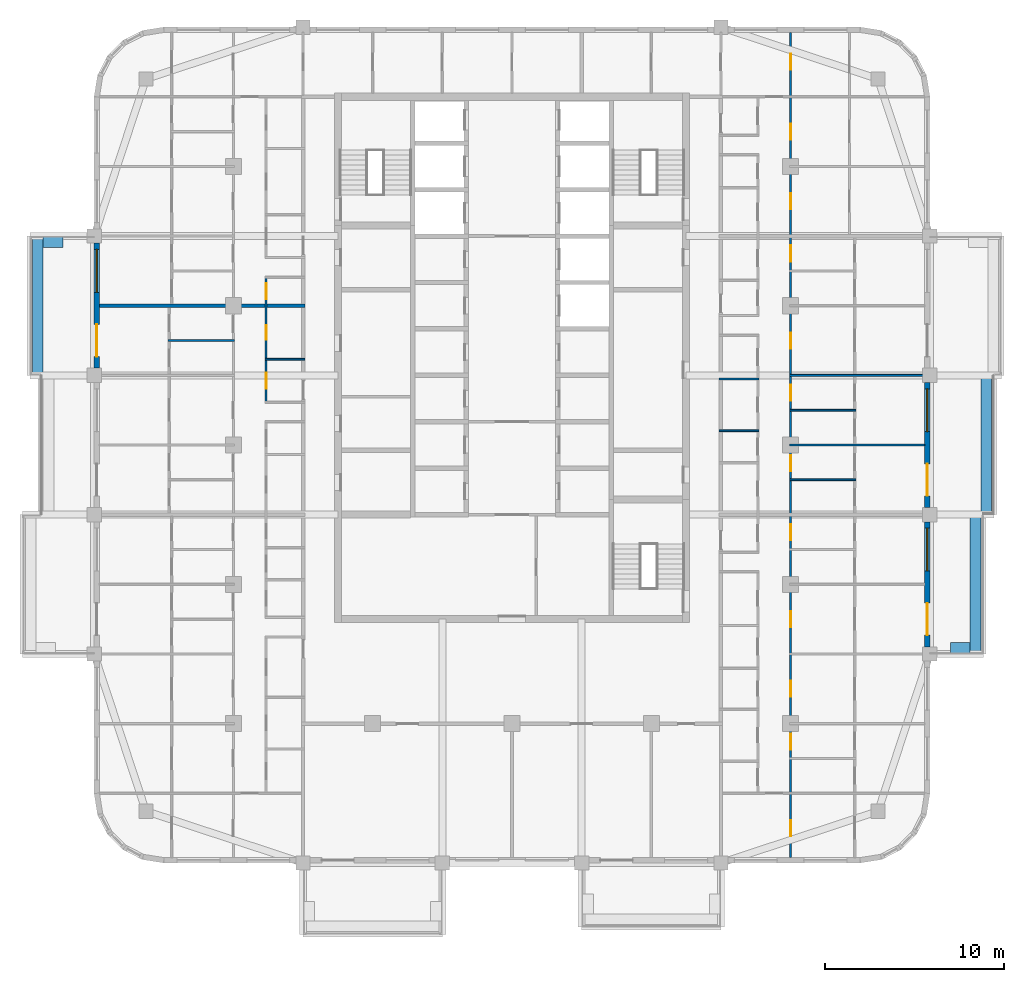
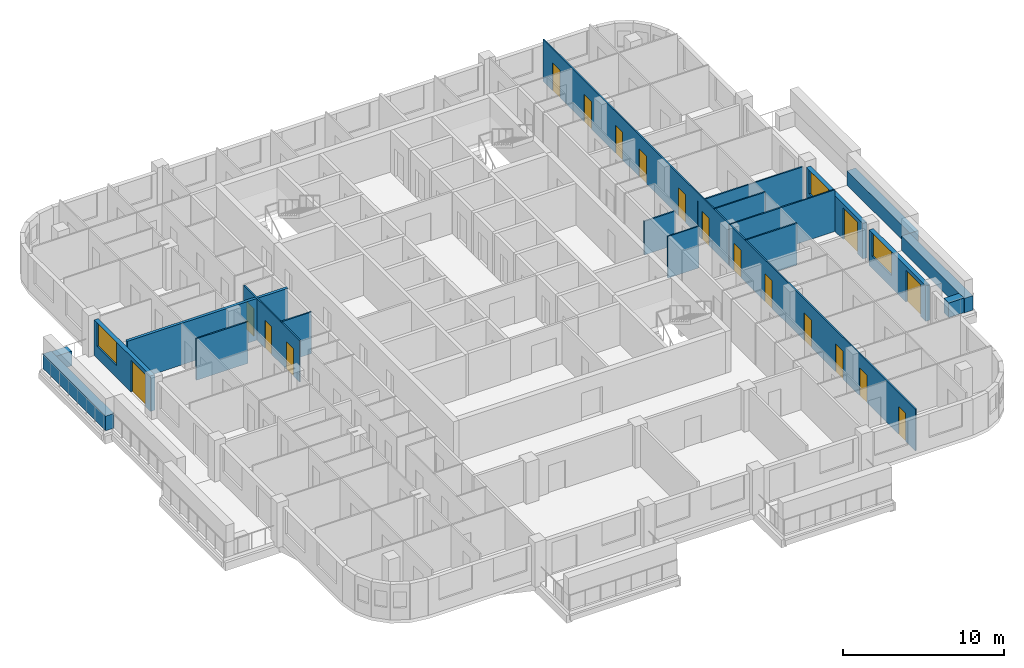
# One storey, part 8 of 16: 19 walls, 18 doors, 3 windows, 21 openings.
"""IFC4 building model written with IfcOpenShell, lengths in metres."""

from ifc_helpers import new_model, si_unit, direction, frame, frame_2d, origin, place, context, subcontext, project, spatial, rectangle, extrude, material, layer, layer_set, type_object, element, fill, save


model = new_model("IFC4")

# Units and contexts
model_context = context("Model", 3, precision=1e-05, world=origin(), true_north=direction((0.0, 1.0)))
body_context = subcontext(model_context, "Body", "Model", "MODEL_VIEW")
ifc_project = project(units=[si_unit("LENGTHUNIT", "METRE"), si_unit("AREAUNIT", "SQUARE_METRE"), si_unit("VOLUMEUNIT", "CUBIC_METRE"), si_unit("PLANEANGLEUNIT", "RADIAN"), si_unit("MASSUNIT", "GRAM", prefix="KILO")], contexts=[model_context])

# Site, building, storey
site_placement = place(None, origin())
site = spatial("IfcSite", under=ifc_project, at=site_placement, CompositionType="ELEMENT")
building_placement = place(site_placement, origin())
building = spatial("IfcBuilding", under=site, at=building_placement, Name="Ludao Terraces", CompositionType="ELEMENT")
storey_placement = place(building_placement, frame((0.0, 0.0, 227.89990234375)))
storey = spatial("IfcBuildingStorey", under=building, at=storey_placement, Name="L62", CompositionType="ELEMENT", Elevation=227.89990234375)

# Walls
ifc_material_1 = material(Name="Concrete C40", Category="concrete")
ifc_layer_1 = layer(ifc_material_1, 0.60009765625)
ifc_layer_set_1 = layer_set([ifc_layer_1], Name="ENV Planter trough 600")
wall_type_1 = type_object("IfcWallType", Name="ENV Planter trough 600", PredefinedType="USERDEFINED", material=ifc_layer_set_1)
wall_1_placement = place(storey_placement, frame((110.949951171875, 53.300048828125, 0.0), z_axis=(0.0, 0.0, 1.0), x_axis=(0.0, 1.0, 0.0)))
element("IfcWall", 1, at=wall_1_placement, inside=storey, type_object=wall_type_1, Name="PL-L62-E1", ObjectType="PLANTER", PredefinedType="USERDEFINED", context=body_context, shape_type="SweptSolid", body=[
    extrude(rectangle(XDim=7.800048828125, YDim=0.60009765625, at=frame_2d((3.89990234375, 0.0))), origin(), (0.0, 0.0, 1.0), 1.10009765625),
])
wall_2_placement = place(storey_placement, frame((110.64990234375, 53.64990234375, 0.0), z_axis=(0.0, 0.0, 1.0), x_axis=(-1.0, 0.0, 0.0)))
element("IfcWall", 2, at=wall_2_placement, inside=storey, type_object=wall_type_1, Name="PL-L62-E1-SA", ObjectType="PLANTER", PredefinedType="USERDEFINED", context=body_context, shape_type="SweptSolid", body=[
    extrude(rectangle(XDim=1.099853515625, YDim=0.60009765625, at=frame_2d((0.5498046875, 0.0))), origin(), (0.0, 0.0, 1.0), 1.10009765625),
])
wall_3_placement = place(storey_placement, frame((111.550048828125, 61.10009765625, 0.0), z_axis=(0.0, 0.0, 1.0), x_axis=(0.0, 1.0, 0.0)))
element("IfcWall", 3, at=wall_3_placement, inside=storey, type_object=wall_type_1, Name="PL-L62-E2", ObjectType="PLANTER", PredefinedType="USERDEFINED", context=body_context, shape_type="SweptSolid", body=[
    extrude(rectangle(XDim=7.7998046875, YDim=0.60009765625, at=frame_2d((3.89990234375, 0.0))), origin(), (0.0, 0.0, 1.0), 1.10009765625),
])
wall_4_placement = place(storey_placement, frame((58.449951171875, 68.89990234375, 0.0), z_axis=(0.0, 0.0, 1.0), x_axis=(0.0, 1.0, 0.0)))
element("IfcWall", 4, at=wall_4_placement, inside=storey, type_object=wall_type_1, Name="PL-L62-W3", ObjectType="PLANTER", PredefinedType="USERDEFINED", context=body_context, shape_type="SweptSolid", body=[
    extrude(rectangle(XDim=7.800048828125, YDim=0.60009765625, at=frame_2d((3.89990234375, 0.0))), origin(), (0.0, 0.0, 1.0), 1.10009765625),
])
wall_5_placement = place(storey_placement, frame((58.75, 76.35009765625, 0.0), z_axis=(0.0, 0.0, 1.0), x_axis=(1.0, 0.0, 0.0)))
element("IfcWall", 5, at=wall_5_placement, inside=storey, type_object=wall_type_1, Name="PL-L62-W3-SB", ObjectType="PLANTER", PredefinedType="USERDEFINED", context=body_context, shape_type="SweptSolid", body=[
    extrude(rectangle(XDim=1.10009765625, YDim=0.60009765625, at=frame_2d((0.550048828125, 0.0))), origin(), (0.0, 0.0, 1.0), 1.10009765625),
])

# Wall, openings, door, window
ifc_material_2 = material(Name="Granite cladding", Category="masonry")
ifc_layer_2 = layer(ifc_material_2, 0.0400390625, Category="stone")
ifc_material_3 = material(Name="Mineral wool")
ifc_layer_3 = layer(ifc_material_3, 0.06005859375)
ifc_layer_4 = layer(ifc_material_1, 0.199951171875, Category="concrete")
ifc_layer_set_2 = layer_set([ifc_layer_2, ifc_layer_3, ifc_layer_4], Name="ENV Stone-clad wall 300")
wall_type_2 = type_object("IfcWallType", Name="ENV Stone-clad wall 300", PredefinedType="SOLIDWALL", material=ifc_layer_set_2)
wall_6_placement = place(storey_placement, frame((108.25, 53.699951171875, 0.0), z_axis=(0.0, 0.0, 1.0), x_axis=(0.0, 1.0, 0.0)))
wall_6 = element("IfcWall", 6, at=wall_6_placement, inside=storey, type_object=wall_type_2, Name="EW-L62-E2", PredefinedType="SOLIDWALL", context=body_context, shape_type="SweptSolid", body=[
    extrude(rectangle(XDim=7.0, YDim=0.300048828125, at=frame_2d((3.5, 0.0))), origin(), (0.0, 0.0, 1.0), 2.7001953125),
])
opening_1_placement = place(wall_6_placement, frame((0.64990234375, 0.0, 0.0)))
opening_1 = element("IfcOpeningElement", 7, at=opening_1_placement, cuts=wall_6, Name="Opening BD", PredefinedType="OPENING", context=body_context, shape_type="SweptSolid", body=[
    extrude(rectangle(XDim=1.800048828125, YDim=2.39990234375, at=frame_2d((0.89990234375, 1.199951171875))), frame((0.0, 0.16015625, 0.0), z_axis=(0.0, -1.0, 0.0), x_axis=(1.0, 0.0, 0.0)), (0.0, 0.0, 1.0), 0.320068359375),
])
opening_2_placement = place(wall_6_placement, frame((4.25, 0.0, 0.89990234375)))
opening_2 = element("IfcOpeningElement", 8, at=opening_2_placement, cuts=wall_6, Name="Opening W1", PredefinedType="OPENING", context=body_context, shape_type="SweptSolid", body=[
    extrude(rectangle(XDim=2.39990234375, YDim=1.800048828125, at=frame_2d((1.199951171875, 0.89990234375))), frame((0.0, 0.16015625, 0.0), z_axis=(0.0, -1.0, 0.0), x_axis=(1.0, 0.0, 0.0)), (0.0, 0.0, 1.0), 0.320068359375),
])
ifc_material_4 = material(Name="Aluminium glazed door", Category="aluminium")
ifc_layer_5 = layer(ifc_material_4, 0.06005859375)
ifc_layer_set_3 = layer_set([ifc_layer_5], Name="ENV Balcony door BD 1800x2400")
door_type_1 = type_object("IfcDoorType", Name="ENV Balcony door BD 1800x2400", OperationType="DOUBLE_DOOR_SINGLE_SWING", PredefinedType="DOOR", material=ifc_layer_set_3)
door_1_placement = place(opening_1_placement, origin())
door_1 = element("IfcDoor", 9, at=door_1_placement, inside=storey, type_object=door_type_1, Name="BD-L62-E2-1", OperationType="DOUBLE_DOOR_SINGLE_SWING", OverallHeight=2.39990234375, OverallWidth=1.800048828125, PredefinedType="DOOR", context=body_context, shape_type="SweptSolid", body=[
    extrude(rectangle(XDim=1.800048828125, YDim=2.39990234375, at=frame_2d((0.89990234375, 1.199951171875))), frame((0.0, 0.02490234375, 0.0), z_axis=(0.0, -1.0, 0.0), x_axis=(1.0, 0.0, 0.0)), (0.0, 0.0, 1.0), 0.050048828125),
])
fill(opening_1, door_1)
ifc_material_5 = material(Name="Clear glass in aluminium frame", Category="aluminium")
ifc_layer_6 = layer(ifc_material_5, 0.06005859375)
ifc_layer_set_4 = layer_set([ifc_layer_6], Name="ENV Window W1 2400x1800")
window_type = type_object("IfcWindowType", Name="ENV Window W1 2400x1800", PartitioningType="DOUBLE_PANEL_VERTICAL", PredefinedType="WINDOW", material=ifc_layer_set_4)
window_1_placement = place(opening_2_placement, origin())
window_1 = element("IfcWindow", 10, at=window_1_placement, inside=storey, type_object=window_type, Name="W-L62-E2-2", OverallHeight=1.800048828125, OverallWidth=2.39990234375, PartitioningType="DOUBLE_PANEL_VERTICAL", PredefinedType="WINDOW", context=body_context, shape_type="SweptSolid", body=[
    extrude(rectangle(XDim=2.39990234375, YDim=1.800048828125, at=frame_2d((1.199951171875, 0.89990234375))), frame((0.0, 0.030029296875, 0.0), z_axis=(0.0, -1.0, 0.0), x_axis=(1.0, 0.0, 0.0)), (0.0, 0.0, 1.0), 0.06005859375),
])
fill(opening_2, window_1)

wall_7_placement = place(storey_placement, frame((108.25, 61.5, 0.0), z_axis=(0.0, 0.0, 1.0), x_axis=(0.0, 1.0, 0.0)))
wall_7 = element("IfcWall", 11, at=wall_7_placement, inside=storey, type_object=wall_type_2, Name="EW-L62-E3", PredefinedType="SOLIDWALL", context=body_context, shape_type="SweptSolid", body=[
    extrude(rectangle(XDim=7.0, YDim=0.300048828125, at=frame_2d((3.5, 0.0))), origin(), (0.0, 0.0, 1.0), 2.7001953125),
])
opening_3_placement = place(wall_7_placement, frame((0.64990234375, 0.0, 0.0)))
opening_3 = element("IfcOpeningElement", 12, at=opening_3_placement, cuts=wall_7, Name="Opening BD", PredefinedType="OPENING", context=body_context, shape_type="SweptSolid", body=[
    extrude(rectangle(XDim=1.800048828125, YDim=2.39990234375, at=frame_2d((0.89990234375, 1.199951171875))), frame((0.0, 0.16015625, 0.0), z_axis=(0.0, -1.0, 0.0), x_axis=(1.0, 0.0, 0.0)), (0.0, 0.0, 1.0), 0.320068359375),
])
opening_4_placement = place(wall_7_placement, frame((4.25, 0.0, 0.89990234375)))
opening_4 = element("IfcOpeningElement", 13, at=opening_4_placement, cuts=wall_7, Name="Opening W1", PredefinedType="OPENING", context=body_context, shape_type="SweptSolid", body=[
    extrude(rectangle(XDim=2.39990234375, YDim=1.800048828125, at=frame_2d((1.199951171875, 0.89990234375))), frame((0.0, 0.16015625, 0.0), z_axis=(0.0, -1.0, 0.0), x_axis=(1.0, 0.0, 0.0)), (0.0, 0.0, 1.0), 0.320068359375),
])
door_2_placement = place(opening_3_placement, origin())
door_2 = element("IfcDoor", 14, at=door_2_placement, inside=storey, type_object=door_type_1, Name="BD-L62-E3-1", OperationType="DOUBLE_DOOR_SINGLE_SWING", OverallHeight=2.39990234375, OverallWidth=1.800048828125, PredefinedType="DOOR", context=body_context, shape_type="SweptSolid", body=[
    extrude(rectangle(XDim=1.800048828125, YDim=2.39990234375, at=frame_2d((0.89990234375, 1.199951171875))), frame((0.0, 0.02490234375, 0.0), z_axis=(0.0, -1.0, 0.0), x_axis=(1.0, 0.0, 0.0)), (0.0, 0.0, 1.0), 0.050048828125),
])
fill(opening_3, door_2)
window_2_placement = place(opening_4_placement, origin())
window_2 = element("IfcWindow", 15, at=window_2_placement, inside=storey, type_object=window_type, Name="W-L62-E3-2", OverallHeight=1.800048828125, OverallWidth=2.39990234375, PartitioningType="DOUBLE_PANEL_VERTICAL", PredefinedType="WINDOW", context=body_context, shape_type="SweptSolid", body=[
    extrude(rectangle(XDim=2.39990234375, YDim=1.800048828125, at=frame_2d((1.199951171875, 0.89990234375))), frame((0.0, 0.030029296875, 0.0), z_axis=(0.0, -1.0, 0.0), x_axis=(1.0, 0.0, 0.0)), (0.0, 0.0, 1.0), 0.06005859375),
])
fill(opening_4, window_2)

wall_8_placement = place(storey_placement, frame((61.75, 69.300048828125, 0.0), z_axis=(0.0, 0.0, 1.0), x_axis=(0.0, 1.0, 0.0)))
wall_8 = element("IfcWall", 16, at=wall_8_placement, inside=storey, type_object=wall_type_2, Name="EW-L62-W4", PredefinedType="SOLIDWALL", context=body_context, shape_type="SweptSolid", body=[
    extrude(rectangle(XDim=7.0, YDim=0.300048828125, at=frame_2d((3.5, 0.0))), origin(), (0.0, 0.0, 1.0), 2.7001953125),
])
opening_5_placement = place(wall_8_placement, frame((0.64990234375, 0.0, 0.0)))
opening_5 = element("IfcOpeningElement", 17, at=opening_5_placement, cuts=wall_8, Name="Opening BD", PredefinedType="OPENING", context=body_context, shape_type="SweptSolid", body=[
    extrude(rectangle(XDim=1.800048828125, YDim=2.39990234375, at=frame_2d((0.89990234375, 1.199951171875))), frame((0.0, 0.16015625, 0.0), z_axis=(0.0, -1.0, 0.0), x_axis=(1.0, 0.0, 0.0)), (0.0, 0.0, 1.0), 0.320068359375),
])
opening_6_placement = place(wall_8_placement, frame((4.25, 0.0, 0.89990234375)))
opening_6 = element("IfcOpeningElement", 18, at=opening_6_placement, cuts=wall_8, Name="Opening W1", PredefinedType="OPENING", context=body_context, shape_type="SweptSolid", body=[
    extrude(rectangle(XDim=2.39990234375, YDim=1.800048828125, at=frame_2d((1.199951171875, 0.89990234375))), frame((0.0, 0.16015625, 0.0), z_axis=(0.0, -1.0, 0.0), x_axis=(1.0, 0.0, 0.0)), (0.0, 0.0, 1.0), 0.320068359375),
])
door_3_placement = place(opening_5_placement, origin())
door_3 = element("IfcDoor", 19, at=door_3_placement, inside=storey, type_object=door_type_1, Name="BD-L62-W4-1", OperationType="DOUBLE_DOOR_SINGLE_SWING", OverallHeight=2.39990234375, OverallWidth=1.800048828125, PredefinedType="DOOR", context=body_context, shape_type="SweptSolid", body=[
    extrude(rectangle(XDim=1.800048828125, YDim=2.39990234375, at=frame_2d((0.89990234375, 1.199951171875))), frame((0.0, 0.02490234375, 0.0), z_axis=(0.0, -1.0, 0.0), x_axis=(1.0, 0.0, 0.0)), (0.0, 0.0, 1.0), 0.050048828125),
])
fill(opening_5, door_3)
window_3_placement = place(opening_6_placement, origin())
window_3 = element("IfcWindow", 20, at=window_3_placement, inside=storey, type_object=window_type, Name="W-L62-W4-2", OverallHeight=1.800048828125, OverallWidth=2.39990234375, PartitioningType="DOUBLE_PANEL_VERTICAL", PredefinedType="WINDOW", context=body_context, shape_type="SweptSolid", body=[
    extrude(rectangle(XDim=2.39990234375, YDim=1.800048828125, at=frame_2d((1.199951171875, 0.89990234375))), frame((0.0, 0.030029296875, 0.0), z_axis=(0.0, -1.0, 0.0), x_axis=(1.0, 0.0, 0.0)), (0.0, 0.0, 1.0), 0.06005859375),
])
fill(opening_6, window_3)

# Walls
ifc_material_6 = material(Name="Gypsum plasterboard", Category="gypsum")
ifc_layer_7 = layer(ifc_material_6, 0.012451171875, Category="gypsum")
ifc_layer_8 = layer(ifc_material_3, 0.06005859375, Name="insulation")
ifc_material_7 = material(Name="Steel Q235", Category="steel")
ifc_layer_9 = layer(ifc_material_7, 0.014892578125, Name="stud")
ifc_layer_10 = layer(ifc_material_6, 0.012451171875, Category="gypsum")
ifc_layer_set_5 = layer_set([ifc_layer_7, ifc_layer_8, ifc_layer_9, ifc_layer_10], Name="INT Partition 100")
wall_type_3 = type_object("IfcWallType", Name="INT Partition 100", PredefinedType="PARTITIONING", material=ifc_layer_set_5)
wall_9_placement = place(storey_placement, frame((100.550048828125, 63.050048828125, 0.0), z_axis=(0.0, 0.0, 1.0), x_axis=(1.0, 0.0, 0.0)))
element("IfcWall", 21, at=wall_9_placement, inside=storey, type_object=wall_type_3, Name="PW-L62-PW029", PredefinedType="PARTITIONING", context=body_context, shape_type="SweptSolid", body=[
    extrude(rectangle(XDim=3.699951171875, YDim=0.10009765625, at=frame_2d((1.85009765625, 0.0))), origin(), (0.0, 0.0, 1.0), 3.150146484375),
])
wall_10_placement = place(storey_placement, frame((100.550048828125, 65.0, 0.0), z_axis=(0.0, 0.0, 1.0), x_axis=(1.0, 0.0, 0.0)))
element("IfcWall", 22, at=wall_10_placement, inside=storey, type_object=wall_type_3, Name="PW-L62-PW033", PredefinedType="PARTITIONING", context=body_context, shape_type="SweptSolid", body=[
    extrude(rectangle(XDim=7.550048828125, YDim=0.10009765625, at=frame_2d((3.77490234375, 0.0))), origin(), (0.0, 0.0, 1.0), 3.150146484375),
])
wall_11_placement = place(storey_placement, frame((96.60009765625, 65.800048828125, 0.0), z_axis=(0.0, 0.0, 1.0), x_axis=(1.0, 0.0, 0.0)))
element("IfcWall", 23, at=wall_11_placement, inside=storey, type_object=wall_type_3, Name="PW-L62-PW034", PredefinedType="PARTITIONING", context=body_context, shape_type="SweptSolid", body=[
    extrude(rectangle(XDim=2.219970703125, YDim=0.10009765625, at=frame_2d((1.10986328125, 0.0))), origin(), (0.0, 0.0, 1.0), 3.150146484375),
])
wall_12_placement = place(storey_placement, frame((100.550048828125, 66.949951171875, 0.0), z_axis=(0.0, 0.0, 1.0), x_axis=(1.0, 0.0, 0.0)))
element("IfcWall", 24, at=wall_12_placement, inside=storey, type_object=wall_type_3, Name="PW-L62-PW037", PredefinedType="PARTITIONING", context=body_context, shape_type="SweptSolid", body=[
    extrude(rectangle(XDim=3.699951171875, YDim=0.10009765625, at=frame_2d((1.85009765625, 0.0))), origin(), (0.0, 0.0, 1.0), 3.150146484375),
])
wall_13_placement = place(storey_placement, frame((96.60009765625, 68.699951171875, 0.0), z_axis=(0.0, 0.0, 1.0), x_axis=(1.0, 0.0, 0.0)))
element("IfcWall", 25, at=wall_13_placement, inside=storey, type_object=wall_type_3, Name="PW-L62-PW040", PredefinedType="PARTITIONING", context=body_context, shape_type="SweptSolid", body=[
    extrude(rectangle(XDim=2.219970703125, YDim=0.10009765625, at=frame_2d((1.10986328125, 0.0))), origin(), (0.0, 0.0, 1.0), 2.550048828125),
])
wall_14_placement = place(storey_placement, frame((100.550048828125, 68.89990234375, 0.0), z_axis=(0.0, 0.0, 1.0), x_axis=(1.0, 0.0, 0.0)))
element("IfcWall", 26, at=wall_14_placement, inside=storey, type_object=wall_type_3, Name="PW-L62-PW042", PredefinedType="PARTITIONING", context=body_context, shape_type="SweptSolid", body=[
    extrude(rectangle(XDim=7.550048828125, YDim=0.10009765625, at=frame_2d((3.77490234375, 0.0))), origin(), (0.0, 0.0, 1.0), 2.550048828125),
])
wall_15_placement = place(storey_placement, frame((71.18017578125, 69.800048828125, 0.0), z_axis=(0.0, 0.0, 1.0), x_axis=(1.0, 0.0, 0.0)))
element("IfcWall", 27, at=wall_15_placement, inside=storey, type_object=wall_type_3, Name="PW-L62-PW043", PredefinedType="PARTITIONING", context=body_context, shape_type="SweptSolid", body=[
    extrude(rectangle(XDim=2.219970703125, YDim=0.10009765625, at=frame_2d((1.10986328125, 0.0))), origin(), (0.0, 0.0, 1.0), 3.150146484375),
])
wall_16_placement = place(storey_placement, frame((65.75, 70.85009765625, 0.0), z_axis=(0.0, 0.0, 1.0), x_axis=(1.0, 0.0, 0.0)))
element("IfcWall", 28, at=wall_16_placement, inside=storey, type_object=wall_type_3, Name="PW-L62-PW044", PredefinedType="PARTITIONING", context=body_context, shape_type="SweptSolid", body=[
    extrude(rectangle(XDim=3.7001953125, YDim=0.10009765625, at=frame_2d((1.85009765625, 0.0))), origin(), (0.0, 0.0, 1.0), 3.150146484375),
])

# Wall, openings, doors
wall_17_placement = place(storey_placement, frame((71.22998046875, 67.4501953125, 0.0), z_axis=(0.0, 0.0, 1.0), x_axis=(0.0, 1.0, 0.0)))
wall_17 = element("IfcWall", 29, at=wall_17_placement, inside=storey, type_object=wall_type_3, Name="PW-L62-PW075", PredefinedType="PARTITIONING", context=body_context, shape_type="SweptSolid", body=[
    extrude(rectangle(XDim=6.89990234375, YDim=0.10009765625, at=frame_2d((3.449951171875, 0.0))), origin(), (0.0, 0.0, 1.0), 3.150146484375),
])
opening_7_placement = place(wall_17_placement, frame((0.699951171875, 0.0, 0.0)))
opening_7 = element("IfcOpeningElement", 30, at=opening_7_placement, cuts=wall_17, Name="Opening R22-075", PredefinedType="OPENING", context=body_context, shape_type="SweptSolid", body=[
    extrude(rectangle(XDim=0.89990234375, YDim=2.10009765625, at=frame_2d((0.449951171875, 1.050048828125))), frame((0.0, 0.06005859375, 0.0), z_axis=(0.0, -1.0, 0.0), x_axis=(1.0, 0.0, 0.0)), (0.0, 0.0, 1.0), 0.1201171875),
])
opening_8_placement = place(wall_17_placement, frame((3.449951171875, 0.0, 0.0)))
opening_8 = element("IfcOpeningElement", 31, at=opening_8_placement, cuts=wall_17, Name="Opening R22-084", PredefinedType="OPENING", context=body_context, shape_type="SweptSolid", body=[
    extrude(rectangle(XDim=0.800048828125, YDim=2.10009765625, at=frame_2d((0.39990234375, 1.050048828125))), frame((0.0, 0.06005859375, 0.0), z_axis=(0.0, -1.0, 0.0), x_axis=(1.0, 0.0, 0.0)), (0.0, 0.0, 1.0), 0.1201171875),
])
opening_9_placement = place(wall_17_placement, frame((5.699951171875, 0.0, 0.0)))
opening_9 = element("IfcOpeningElement", 32, at=opening_9_placement, cuts=wall_17, Name="Opening R22-091", PredefinedType="OPENING", context=body_context, shape_type="SweptSolid", body=[
    extrude(rectangle(XDim=0.89990234375, YDim=2.10009765625, at=frame_2d((0.449951171875, 1.050048828125))), frame((0.0, 0.06005859375, 0.0), z_axis=(0.0, -1.0, 0.0), x_axis=(1.0, 0.0, 0.0)), (0.0, 0.0, 1.0), 0.1201171875),
])
ifc_material_8 = material(Name="Timber door leaf", Category="wood")
door_type_2 = type_object("IfcDoorType", Name="INT Bathroom door 900", OperationType="SINGLE_SWING_LEFT", PredefinedType="DOOR", material=ifc_material_8)
door_4_placement = place(opening_7_placement, origin())
door_4 = element("IfcDoor", 33, at=door_4_placement, inside=storey, type_object=door_type_2, Name="DOOR 075", OperationType="SINGLE_SWING_LEFT", OverallHeight=2.10009765625, OverallWidth=0.89990234375, PredefinedType="DOOR", context=body_context, shape_type="SweptSolid", body=[
    extrude(rectangle(XDim=0.89990234375, YDim=2.10009765625, at=frame_2d((0.449951171875, 1.050048828125))), frame((0.0, 0.02490234375, 0.0), z_axis=(0.0, -1.0, 0.0), x_axis=(1.0, 0.0, 0.0)), (0.0, 0.0, 1.0), 0.050048828125),
])
fill(opening_7, door_4)
door_5_placement = place(opening_9_placement, origin())
door_5 = element("IfcDoor", 34, at=door_5_placement, inside=storey, type_object=door_type_2, Name="DOOR 091", OperationType="SINGLE_SWING_RIGHT", OverallHeight=2.10009765625, OverallWidth=0.89990234375, PredefinedType="DOOR", context=body_context, shape_type="SweptSolid", body=[
    extrude(rectangle(XDim=0.89990234375, YDim=2.10009765625, at=frame_2d((0.449951171875, 1.050048828125))), frame((0.0, 0.02490234375, 0.0), z_axis=(0.0, -1.0, 0.0), x_axis=(1.0, 0.0, 0.0)), (0.0, 0.0, 1.0), 0.050048828125),
])
fill(opening_9, door_5)
door_type_3 = type_object("IfcDoorType", Name="INT Store door 800", OperationType="SINGLE_SWING_LEFT", PredefinedType="DOOR", material=ifc_material_8)
door_6_placement = place(opening_8_placement, origin())
door_6 = element("IfcDoor", 35, at=door_6_placement, inside=storey, type_object=door_type_3, Name="DOOR 084", OperationType="SINGLE_SWING_RIGHT", OverallHeight=2.10009765625, OverallWidth=0.800048828125, PredefinedType="DOOR", context=body_context, shape_type="SweptSolid", body=[
    extrude(rectangle(XDim=0.800048828125, YDim=2.10009765625, at=frame_2d((0.39990234375, 1.050048828125))), frame((0.0, 0.02490234375, 0.0), z_axis=(0.0, -1.0, 0.0), x_axis=(1.0, 0.0, 0.0)), (0.0, 0.0, 1.0), 0.050048828125),
])
fill(opening_8, door_6)

wall_18_placement = place(storey_placement, frame((100.60009765625, 41.900146484375, 0.0), z_axis=(0.0, 0.0, 1.0), x_axis=(0.0, 1.0, 0.0)))
wall_18 = element("IfcWall", 36, at=wall_18_placement, inside=storey, type_object=wall_type_3, Name="PW-L62-PW095", PredefinedType="PARTITIONING", context=body_context, shape_type="SweptSolid", body=[
    extrude(rectangle(XDim=46.199951171875, YDim=0.10009765625, at=frame_2d((23.10009765625, 0.0))), origin(), (0.0, 0.0, 1.0), 3.150146484375),
])
opening_10_placement = place(wall_18_placement, frame((1.199951171875, 0.0, 0.0)))
opening_10 = element("IfcOpeningElement", 37, at=opening_10_placement, cuts=wall_18, Name="Opening R22-003", PredefinedType="OPENING", context=body_context, shape_type="SweptSolid", body=[
    extrude(rectangle(XDim=0.89990234375, YDim=2.10009765625, at=frame_2d((0.449951171875, 1.050048828125))), frame((0.0, 0.06005859375, 0.0), z_axis=(0.0, -1.0, 0.0), x_axis=(1.0, 0.0, 0.0)), (0.0, 0.0, 1.0), 0.1201171875),
])
opening_11_placement = place(wall_18_placement, frame((6.02490234375, 0.0, 0.0)))
opening_11 = element("IfcOpeningElement", 38, at=opening_11_placement, cuts=wall_18, Name="Opening R22-012", PredefinedType="OPENING", context=body_context, shape_type="SweptSolid", body=[
    extrude(rectangle(XDim=0.89990234375, YDim=2.10009765625, at=frame_2d((0.449951171875, 1.050048828125))), frame((0.0, 0.06005859375, 0.0), z_axis=(0.0, -1.0, 0.0), x_axis=(1.0, 0.0, 0.0)), (0.0, 0.0, 1.0), 0.1201171875),
])
opening_12_placement = place(wall_18_placement, frame((9.0, 0.0, 0.0)))
opening_12 = element("IfcOpeningElement", 39, at=opening_12_placement, cuts=wall_18, Name="Opening R22-022", PredefinedType="OPENING", context=body_context, shape_type="SweptSolid", body=[
    extrude(rectangle(XDim=0.89990234375, YDim=2.10009765625, at=frame_2d((0.449951171875, 1.050048828125))), frame((0.0, 0.06005859375, 0.0), z_axis=(0.0, -1.0, 0.0), x_axis=(1.0, 0.0, 0.0)), (0.0, 0.0, 1.0), 0.1201171875),
])
opening_13_placement = place(wall_18_placement, frame((12.89990234375, 0.0, 0.0)))
opening_13 = element("IfcOpeningElement", 40, at=opening_13_placement, cuts=wall_18, Name="Opening R22-029", PredefinedType="OPENING", context=body_context, shape_type="SweptSolid", body=[
    extrude(rectangle(XDim=0.89990234375, YDim=2.10009765625, at=frame_2d((0.449951171875, 1.050048828125))), frame((0.0, 0.06005859375, 0.0), z_axis=(0.0, -1.0, 0.0), x_axis=(1.0, 0.0, 0.0)), (0.0, 0.0, 1.0), 0.1201171875),
])
opening_14_placement = place(wall_18_placement, frame((17.77490234375, 0.0, 0.0)))
opening_14 = element("IfcOpeningElement", 41, at=opening_14_placement, cuts=wall_18, Name="Opening R22-044", PredefinedType="OPENING", context=body_context, shape_type="SweptSolid", body=[
    extrude(rectangle(XDim=0.89990234375, YDim=2.10009765625, at=frame_2d((0.449951171875, 1.050048828125))), frame((0.0, 0.06005859375, 0.0), z_axis=(0.0, -1.0, 0.0), x_axis=(1.0, 0.0, 0.0)), (0.0, 0.0, 1.0), 0.1201171875),
])
opening_15_placement = place(wall_18_placement, frame((21.625, 0.0, 0.0)))
opening_15 = element("IfcOpeningElement", 42, at=opening_15_placement, cuts=wall_18, Name="Opening R22-057", PredefinedType="OPENING", context=body_context, shape_type="SweptSolid", body=[
    extrude(rectangle(XDim=0.89990234375, YDim=2.10009765625, at=frame_2d((0.449951171875, 1.050048828125))), frame((0.0, 0.06005859375, 0.0), z_axis=(0.0, -1.0, 0.0), x_axis=(1.0, 0.0, 0.0)), (0.0, 0.0, 1.0), 0.1201171875),
])
opening_16_placement = place(wall_18_placement, frame((25.574951171875, 0.0, 0.0)))
opening_16 = element("IfcOpeningElement", 43, at=opening_16_placement, cuts=wall_18, Name="Opening R22-072", PredefinedType="OPENING", context=body_context, shape_type="SweptSolid", body=[
    extrude(rectangle(XDim=0.89990234375, YDim=2.10009765625, at=frame_2d((0.449951171875, 1.050048828125))), frame((0.0, 0.06005859375, 0.0), z_axis=(0.0, -1.0, 0.0), x_axis=(1.0, 0.0, 0.0)), (0.0, 0.0, 1.0), 0.1201171875),
])
opening_17_placement = place(wall_18_placement, frame((28.5, 0.0, 0.0)))
opening_17 = element("IfcOpeningElement", 44, at=opening_17_placement, cuts=wall_18, Name="Opening R22-082", PredefinedType="OPENING", context=body_context, shape_type="SweptSolid", body=[
    extrude(rectangle(XDim=0.89990234375, YDim=2.10009765625, at=frame_2d((0.449951171875, 1.050048828125))), frame((0.0, 0.06005859375, 0.0), z_axis=(0.0, -1.0, 0.0), x_axis=(1.0, 0.0, 0.0)), (0.0, 0.0, 1.0), 0.1201171875),
])
opening_18_placement = place(wall_18_placement, frame((33.375, 0.0, 0.0)))
opening_18 = element("IfcOpeningElement", 45, at=opening_18_placement, cuts=wall_18, Name="Opening R22-101", PredefinedType="OPENING", context=body_context, shape_type="SweptSolid", body=[
    extrude(rectangle(XDim=0.89990234375, YDim=2.10009765625, at=frame_2d((0.449951171875, 1.050048828125))), frame((0.0, 0.06005859375, 0.0), z_axis=(0.0, -1.0, 0.0), x_axis=(1.0, 0.0, 0.0)), (0.0, 0.0, 1.0), 0.1201171875),
])
opening_19_placement = place(wall_18_placement, frame((36.300048828125, 0.0, 0.0)))
opening_19 = element("IfcOpeningElement", 46, at=opening_19_placement, cuts=wall_18, Name="Opening R22-113", PredefinedType="OPENING", context=body_context, shape_type="SweptSolid", body=[
    extrude(rectangle(XDim=0.89990234375, YDim=2.10009765625, at=frame_2d((0.449951171875, 1.050048828125))), frame((0.0, 0.06005859375, 0.0), z_axis=(0.0, -1.0, 0.0), x_axis=(1.0, 0.0, 0.0)), (0.0, 0.0, 1.0), 0.1201171875),
])
opening_20_placement = place(wall_18_placement, frame((40.199951171875, 0.0, 0.0)))
opening_20 = element("IfcOpeningElement", 47, at=opening_20_placement, cuts=wall_18, Name="Opening R22-120", PredefinedType="OPENING", context=body_context, shape_type="SweptSolid", body=[
    extrude(rectangle(XDim=0.89990234375, YDim=2.10009765625, at=frame_2d((0.449951171875, 1.050048828125))), frame((0.0, 0.06005859375, 0.0), z_axis=(0.0, -1.0, 0.0), x_axis=(1.0, 0.0, 0.0)), (0.0, 0.0, 1.0), 0.1201171875),
])
opening_21_placement = place(wall_18_placement, frame((44.10009765625, 0.0, 0.0)))
opening_21 = element("IfcOpeningElement", 48, at=opening_21_placement, cuts=wall_18, Name="Opening R22-139", PredefinedType="OPENING", context=body_context, shape_type="SweptSolid", body=[
    extrude(rectangle(XDim=0.89990234375, YDim=2.10009765625, at=frame_2d((0.449951171875, 1.050048828125))), frame((0.0, 0.06005859375, 0.0), z_axis=(0.0, -1.0, 0.0), x_axis=(1.0, 0.0, 0.0)), (0.0, 0.0, 1.0), 0.1201171875),
])
door_type_4 = type_object("IfcDoorType", Name="INT Room door 900", OperationType="SINGLE_SWING_LEFT", PredefinedType="DOOR", material=ifc_material_8)
door_7_placement = place(opening_10_placement, origin())
door_7 = element("IfcDoor", 49, at=door_7_placement, inside=storey, type_object=door_type_4, Name="DOOR 003", OperationType="SINGLE_SWING_RIGHT", OverallHeight=2.10009765625, OverallWidth=0.89990234375, PredefinedType="DOOR", context=body_context, shape_type="SweptSolid", body=[
    extrude(rectangle(XDim=0.89990234375, YDim=2.10009765625, at=frame_2d((0.449951171875, 1.050048828125))), frame((0.0, 0.02490234375, 0.0), z_axis=(0.0, -1.0, 0.0), x_axis=(1.0, 0.0, 0.0)), (0.0, 0.0, 1.0), 0.050048828125),
])
fill(opening_10, door_7)
door_8_placement = place(opening_11_placement, origin())
door_8 = element("IfcDoor", 50, at=door_8_placement, inside=storey, type_object=door_type_4, Name="DOOR 012", OperationType="SINGLE_SWING_RIGHT", OverallHeight=2.10009765625, OverallWidth=0.89990234375, PredefinedType="DOOR", context=body_context, shape_type="SweptSolid", body=[
    extrude(rectangle(XDim=0.89990234375, YDim=2.10009765625, at=frame_2d((0.449951171875, 1.050048828125))), frame((0.0, 0.02490234375, 0.0), z_axis=(0.0, -1.0, 0.0), x_axis=(1.0, 0.0, 0.0)), (0.0, 0.0, 1.0), 0.050048828125),
])
fill(opening_11, door_8)
door_9_placement = place(opening_12_placement, origin())
door_9 = element("IfcDoor", 51, at=door_9_placement, inside=storey, type_object=door_type_4, Name="DOOR 022", OperationType="SINGLE_SWING_RIGHT", OverallHeight=2.10009765625, OverallWidth=0.89990234375, PredefinedType="DOOR", context=body_context, shape_type="SweptSolid", body=[
    extrude(rectangle(XDim=0.89990234375, YDim=2.10009765625, at=frame_2d((0.449951171875, 1.050048828125))), frame((0.0, 0.02490234375, 0.0), z_axis=(0.0, -1.0, 0.0), x_axis=(1.0, 0.0, 0.0)), (0.0, 0.0, 1.0), 0.050048828125),
])
fill(opening_12, door_9)
door_10_placement = place(opening_13_placement, origin())
door_10 = element("IfcDoor", 52, at=door_10_placement, inside=storey, type_object=door_type_4, Name="DOOR 029", OperationType="SINGLE_SWING_RIGHT", OverallHeight=2.10009765625, OverallWidth=0.89990234375, PredefinedType="DOOR", context=body_context, shape_type="SweptSolid", body=[
    extrude(rectangle(XDim=0.89990234375, YDim=2.10009765625, at=frame_2d((0.449951171875, 1.050048828125))), frame((0.0, 0.02490234375, 0.0), z_axis=(0.0, -1.0, 0.0), x_axis=(1.0, 0.0, 0.0)), (0.0, 0.0, 1.0), 0.050048828125),
])
fill(opening_13, door_10)
door_11_placement = place(opening_14_placement, origin())
door_11 = element("IfcDoor", 53, at=door_11_placement, inside=storey, type_object=door_type_4, Name="DOOR 044", OperationType="SINGLE_SWING_LEFT", OverallHeight=2.10009765625, OverallWidth=0.89990234375, PredefinedType="DOOR", context=body_context, shape_type="SweptSolid", body=[
    extrude(rectangle(XDim=0.89990234375, YDim=2.10009765625, at=frame_2d((0.449951171875, 1.050048828125))), frame((0.0, 0.02490234375, 0.0), z_axis=(0.0, -1.0, 0.0), x_axis=(1.0, 0.0, 0.0)), (0.0, 0.0, 1.0), 0.050048828125),
])
fill(opening_14, door_11)
door_12_placement = place(opening_15_placement, origin())
door_12 = element("IfcDoor", 54, at=door_12_placement, inside=storey, type_object=door_type_4, Name="DOOR 057", OperationType="SINGLE_SWING_RIGHT", OverallHeight=2.10009765625, OverallWidth=0.89990234375, PredefinedType="DOOR", context=body_context, shape_type="SweptSolid", body=[
    extrude(rectangle(XDim=0.89990234375, YDim=2.10009765625, at=frame_2d((0.449951171875, 1.050048828125))), frame((0.0, 0.02490234375, 0.0), z_axis=(0.0, -1.0, 0.0), x_axis=(1.0, 0.0, 0.0)), (0.0, 0.0, 1.0), 0.050048828125),
])
fill(opening_15, door_12)
door_13_placement = place(opening_16_placement, origin())
door_13 = element("IfcDoor", 55, at=door_13_placement, inside=storey, type_object=door_type_4, Name="DOOR 072", OperationType="SINGLE_SWING_RIGHT", OverallHeight=2.10009765625, OverallWidth=0.89990234375, PredefinedType="DOOR", context=body_context, shape_type="SweptSolid", body=[
    extrude(rectangle(XDim=0.89990234375, YDim=2.10009765625, at=frame_2d((0.449951171875, 1.050048828125))), frame((0.0, 0.02490234375, 0.0), z_axis=(0.0, -1.0, 0.0), x_axis=(1.0, 0.0, 0.0)), (0.0, 0.0, 1.0), 0.050048828125),
])
fill(opening_16, door_13)
door_14_placement = place(opening_17_placement, origin())
door_14 = element("IfcDoor", 56, at=door_14_placement, inside=storey, type_object=door_type_4, Name="DOOR 082", OperationType="SINGLE_SWING_LEFT", OverallHeight=2.10009765625, OverallWidth=0.89990234375, PredefinedType="DOOR", context=body_context, shape_type="SweptSolid", body=[
    extrude(rectangle(XDim=0.89990234375, YDim=2.10009765625, at=frame_2d((0.449951171875, 1.050048828125))), frame((0.0, 0.02490234375, 0.0), z_axis=(0.0, -1.0, 0.0), x_axis=(1.0, 0.0, 0.0)), (0.0, 0.0, 1.0), 0.050048828125),
])
fill(opening_17, door_14)
door_15_placement = place(opening_18_placement, origin())
door_15 = element("IfcDoor", 57, at=door_15_placement, inside=storey, type_object=door_type_4, Name="DOOR 101", OperationType="SINGLE_SWING_RIGHT", OverallHeight=2.10009765625, OverallWidth=0.89990234375, PredefinedType="DOOR", context=body_context, shape_type="SweptSolid", body=[
    extrude(rectangle(XDim=0.89990234375, YDim=2.10009765625, at=frame_2d((0.449951171875, 1.050048828125))), frame((0.0, 0.02490234375, 0.0), z_axis=(0.0, -1.0, 0.0), x_axis=(1.0, 0.0, 0.0)), (0.0, 0.0, 1.0), 0.050048828125),
])
fill(opening_18, door_15)
door_16_placement = place(opening_19_placement, origin())
door_16 = element("IfcDoor", 58, at=door_16_placement, inside=storey, type_object=door_type_4, Name="DOOR 113", OperationType="SINGLE_SWING_RIGHT", OverallHeight=2.10009765625, OverallWidth=0.89990234375, PredefinedType="DOOR", context=body_context, shape_type="SweptSolid", body=[
    extrude(rectangle(XDim=0.89990234375, YDim=2.10009765625, at=frame_2d((0.449951171875, 1.050048828125))), frame((0.0, 0.02490234375, 0.0), z_axis=(0.0, -1.0, 0.0), x_axis=(1.0, 0.0, 0.0)), (0.0, 0.0, 1.0), 0.050048828125),
])
fill(opening_19, door_16)
door_17_placement = place(opening_20_placement, origin())
door_17 = element("IfcDoor", 59, at=door_17_placement, inside=storey, type_object=door_type_4, Name="DOOR 120", OperationType="SINGLE_SWING_RIGHT", OverallHeight=2.10009765625, OverallWidth=0.89990234375, PredefinedType="DOOR", context=body_context, shape_type="SweptSolid", body=[
    extrude(rectangle(XDim=0.89990234375, YDim=2.10009765625, at=frame_2d((0.449951171875, 1.050048828125))), frame((0.0, 0.02490234375, 0.0), z_axis=(0.0, -1.0, 0.0), x_axis=(1.0, 0.0, 0.0)), (0.0, 0.0, 1.0), 0.050048828125),
])
fill(opening_20, door_17)
door_18_placement = place(opening_21_placement, origin())
door_18 = element("IfcDoor", 60, at=door_18_placement, inside=storey, type_object=door_type_4, Name="DOOR 139", OperationType="SINGLE_SWING_LEFT", OverallHeight=2.10009765625, OverallWidth=0.89990234375, PredefinedType="DOOR", context=body_context, shape_type="SweptSolid", body=[
    extrude(rectangle(XDim=0.89990234375, YDim=2.10009765625, at=frame_2d((0.449951171875, 1.050048828125))), frame((0.0, 0.02490234375, 0.0), z_axis=(0.0, -1.0, 0.0), x_axis=(1.0, 0.0, 0.0)), (0.0, 0.0, 1.0), 0.050048828125),
])
fill(opening_21, door_18)

# Wall
ifc_material_9 = material(Name="Autoclaved aerated concrete block B06 A3.5", Category="concrete")
ifc_layer_11 = layer(ifc_material_9, 0.199951171875)
ifc_layer_set_6 = layer_set([ifc_layer_11], Name="INT Party wall 200")
wall_type_4 = type_object("IfcWallType", Name="INT Party wall 200", PredefinedType="PARTITIONING", material=ifc_layer_set_6)
wall_19_placement = place(storey_placement, frame((61.900146484375, 72.800048828125, 0.0), z_axis=(0.0, 0.0, 1.0), x_axis=(1.0, 0.0, 0.0)))
element("IfcWall", 61, at=wall_19_placement, inside=storey, type_object=wall_type_4, Name="PW-L62-PW047", PredefinedType="PARTITIONING", context=body_context, shape_type="SweptSolid", body=[
    extrude(rectangle(XDim=11.5, YDim=0.199951171875, at=frame_2d((5.75, 0.0))), origin(), (0.0, 0.0, 1.0), 3.150146484375),
])

save(model, "model.ifc")
